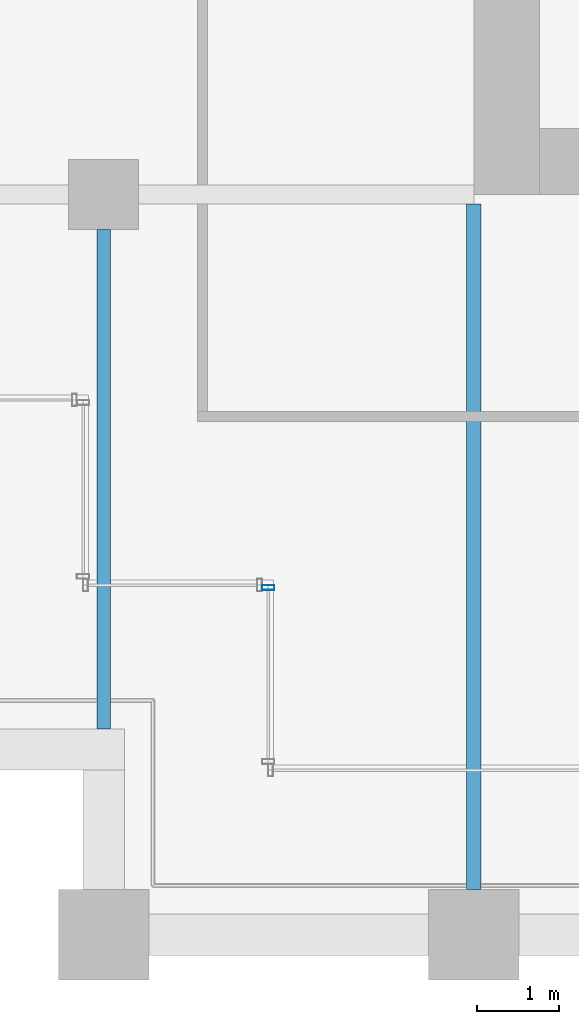
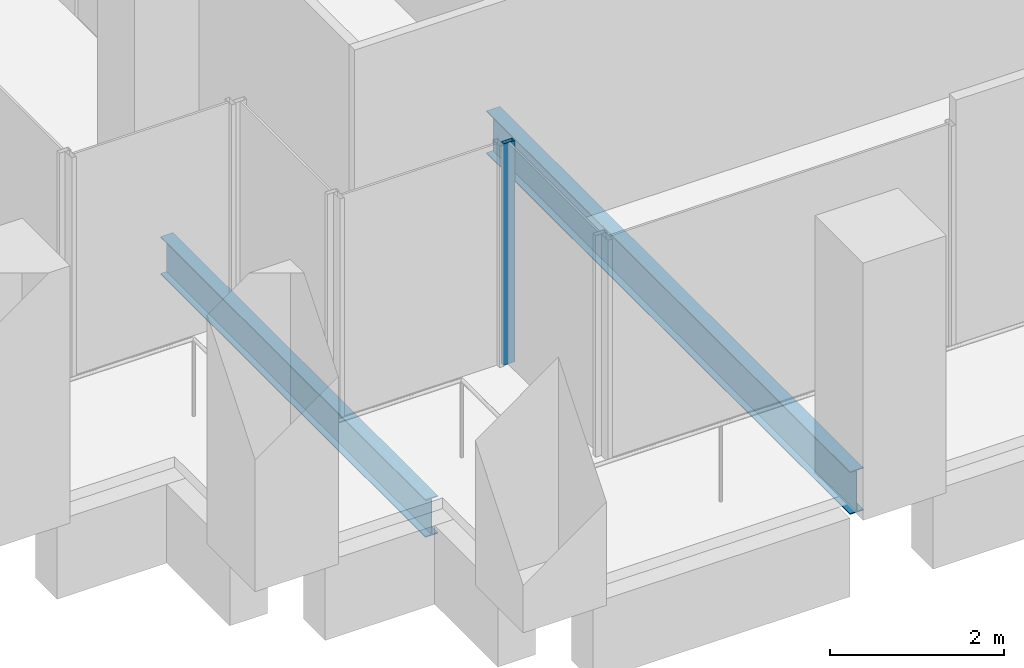
# One storey, part 35 of 54: 2 beams, 1 member, 1 element without a shape of its own.
"""IFC4 building model written with IfcOpenShell, lengths in metres."""

from ifc_helpers import new_model, si_unit, direction, frame, origin, origin_2d, place, context, subcontext, project, spatial, hollow_rectangle, i_section, extrude, material, material_profile, profile_set, type_object, element, aggregate, save


model = new_model("IFC4")

# Units and contexts
model_context = context("Model", 3, precision=1e-05, world=origin(), true_north=direction((0.0, 1.0)))
body_context = subcontext(model_context, "Body", "Model", "MODEL_VIEW")
ifc_project = project(units=[si_unit("LENGTHUNIT", "METRE"), si_unit("AREAUNIT", "SQUARE_METRE"), si_unit("VOLUMEUNIT", "CUBIC_METRE"), si_unit("PLANEANGLEUNIT", "RADIAN"), si_unit("MASSUNIT", "GRAM", prefix="KILO")], contexts=[model_context])

# Site, building, storey
site_placement = place(None, origin())
site = spatial("IfcSite", under=ifc_project, at=site_placement, CompositionType="ELEMENT")
building_placement = place(site_placement, origin())
building = spatial("IfcBuilding", under=site, at=building_placement, Name="Altepetl Exchange Towers", CompositionType="ELEMENT")
storey_placement = place(building_placement, frame((0.0, 0.0, 58.199951171875)))
storey = spatial("IfcBuildingStorey", under=building, at=storey_placement, Name="L13", CompositionType="ELEMENT", Elevation=58.199951171875)

# Beams
ifc_material_1 = material(Name="Steel S355", Category="steel")
ifc_material_profile_1 = material_profile(ifc_material_1, i_section(OverallWidth=0.166015625, OverallDepth=0.529052734375, WebThickness=0.009765625, FlangeThickness=0.013671875, at=origin_2d()), Name="W21X50")
ifc_profile_set_1 = profile_set([ifc_material_profile_1], Name="Steel S355")
beam_type_1 = type_object("IfcBeamType", Name="Floor beam W21X50", PredefinedType="BEAM", material=ifc_profile_set_1)
beam_1_placement = place(storey_placement, frame((99.0, 29.5, -0.41455078125), z_axis=(0.0, 1.0, 0.0), x_axis=(-1.0, 0.0, 0.0)))
element("IfcBeam", 1, at=beam_1_placement, inside=storey, type_object=beam_type_1, Name="bm:B:L13:008", PredefinedType="BEAM", context=body_context, shape_type="SweptSolid", body=[
    extrude(i_section(OverallWidth=0.166015625, OverallDepth=0.529052734375, WebThickness=0.009765625, FlangeThickness=0.013671875, at=origin_2d()), origin(), (0.0, 0.0, 1.0), 6.074951171875),
])
ifc_material_profile_2 = material_profile(ifc_material_1, i_section(OverallWidth=0.177978515625, OverallDepth=0.59912109375, WebThickness=0.010009765625, FlangeThickness=0.0126953125, at=origin_2d()), Name="W24X55")
ifc_profile_set_2 = profile_set([ifc_material_profile_2], Name="Steel S355")
beam_type_2 = type_object("IfcBeamType", Name="Floor beam W24X55", PredefinedType="BEAM", material=ifc_profile_set_2)
beam_2_placement = place(storey_placement, frame((103.5, 27.550048828125, -0.449462890625), z_axis=(0.0, 1.0, 0.0), x_axis=(-1.0, 0.0, 0.0)))
element("IfcBeam", 2, at=beam_2_placement, inside=storey, type_object=beam_type_2, Name="bm:B:L13:009", PredefinedType="BEAM", context=body_context, shape_type="SweptSolid", body=[
    extrude(i_section(OverallWidth=0.177978515625, OverallDepth=0.59912109375, WebThickness=0.010009765625, FlangeThickness=0.0126953125, at=origin_2d()), origin(), (0.0, 0.0, 1.0), 8.3359375),
])

# Curtain wall, member
ifc_material_2 = material(Name="Aluminium 6063-T6 glazing", Category="aluminium")
curtain_wall_type = type_object("IfcCurtainWallType", Name="Loggia glazing system", PredefinedType="NOTDEFINED", material=ifc_material_2)
curtain_wall_placement = place(storey_placement, origin())
curtain_wall = element("IfcCurtainWall", 3, at=curtain_wall_placement, inside=storey, type_object=curtain_wall_type, Name="CW1 run", PredefinedType="NOTDEFINED")
ifc_material_3 = material(Name="Aluminium 6063-T6", Category="aluminium")
ifc_material_profile_3 = material_profile(ifc_material_3, hollow_rectangle(XDim=0.06005859375, YDim=0.14990234375, WallThickness=0.0029296875, at=origin_2d()), Name="Mullion 60x150 aluminium")
ifc_profile_set_3 = profile_set([ifc_material_profile_3], Name="Aluminium 6063-T6")
member_type = type_object("IfcMemberType", Name="Mullion 60x150 aluminium", PredefinedType="MULLION", material=ifc_profile_set_3)
member_placement = place(storey_placement, frame((101.0, 31.219970703125, 0.0), z_axis=(0.0, 0.0, 1.0), x_axis=(0.0, -1.0, 0.0)))
member = element("IfcMember", 4, at=member_placement, type_object=member_type, Name="MU1 mullion", PredefinedType="MULLION", context=body_context, shape_type="SweptSolid", body=[
    extrude(hollow_rectangle(XDim=0.06005859375, YDim=0.14990234375, WallThickness=0.0029296875, at=origin_2d()), origin(), (0.0, 0.0, 1.0), 3.10009765625),
])
aggregate(curtain_wall, [member])

save(model, "model.ifc")
